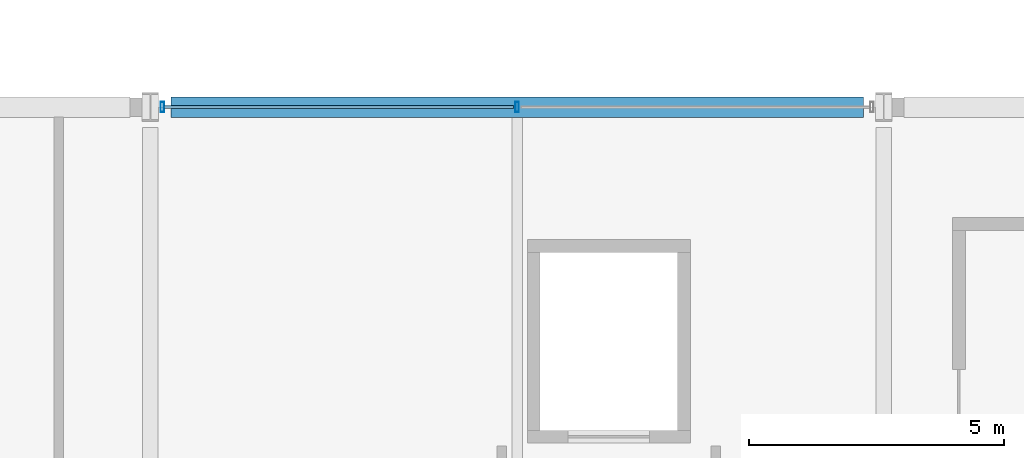
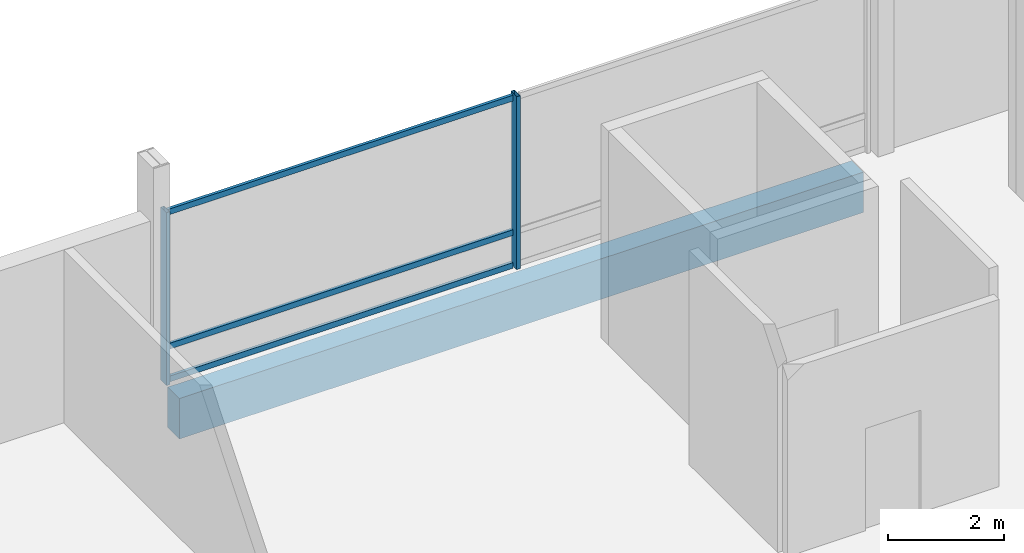
# One storey, part 127 of 220: 5 members, 1 beam, 1 element without a shape of its own.
"""IFC4 building model written with IfcOpenShell, lengths in metres."""

from ifc_helpers import new_model, si_unit, direction, frame, origin, origin_2d, place, context, subcontext, project, spatial, rectangle, hollow_rectangle, extrude, material, material_profile, profile_set, type_object, element, aggregate, save


model = new_model("IFC4")

# Units and contexts
model_context = context("Model", 3, precision=1e-05, world=origin(), true_north=direction((0.0, 1.0)))
body_context = subcontext(model_context, "Body", "Model", "MODEL_VIEW")
ifc_project = project(units=[si_unit("LENGTHUNIT", "METRE"), si_unit("AREAUNIT", "SQUARE_METRE"), si_unit("VOLUMEUNIT", "CUBIC_METRE"), si_unit("PLANEANGLEUNIT", "RADIAN"), si_unit("MASSUNIT", "GRAM", prefix="KILO")], contexts=[model_context])

# Site, building, storey
site_placement = place(None, origin())
site = spatial("IfcSite", under=ifc_project, at=site_placement, CompositionType="ELEMENT")
building_placement = place(site_placement, origin())
building = spatial("IfcBuilding", under=site, at=building_placement, Name="Cendralis Lancet Convention Centre", CompositionType="ELEMENT")
storey_placement = place(building_placement, frame((0.0, 0.0, 5.39990234375)))
storey = spatial("IfcBuildingStorey", under=building, at=storey_placement, Name="L01", CompositionType="ELEMENT", Elevation=5.39990234375)

# Curtain wall, members
ifc_material_1 = material(Name="Anodised bronze architectural aluminium", Category="aluminium")
curtain_wall_type = type_object("IfcCurtainWallType", Name="ARC-CW-BL01", PredefinedType="USERDEFINED", material=ifc_material_1)
curtain_wall_placement = place(storey_placement, origin())
curtain_wall = element("IfcCurtainWall", 1, at=curtain_wall_placement, inside=storey, type_object=curtain_wall_type, Name="L01 Curtain Wall CW-BL1 #149", ObjectType="CURTAIN WALL", PredefinedType="USERDEFINED")
ifc_material_profile_1 = material_profile(ifc_material_1, hollow_rectangle(XDim=0.070068359375, YDim=0.199951171875, WallThickness=0.0048828125, at=origin_2d()), Name="AL-MULL 70x200x5.0")
ifc_profile_set_1 = profile_set([ifc_material_profile_1], Name="Anodised bronze architectural aluminium")
member_type_1 = type_object("IfcMemberType", Name="ARC-CW-ML02", PredefinedType="MULLION", material=ifc_profile_set_1)
member_1_placement = place(storey_placement, frame((182.635009765625, 136.800048828125, 0.0), z_axis=(0.0, 0.0, 1.0), x_axis=(1.0, 0.0, 0.0)))
member_1 = element("IfcMember", 2, at=member_1_placement, type_object=member_type_1, Name="Mullion CW2-CW-BL1-L01-149-M0", PredefinedType="MULLION", context=body_context, shape_type="SweptSolid", body=[
    extrude(hollow_rectangle(XDim=0.070068359375, YDim=0.199951171875, WallThickness=0.0048828125, at=origin_2d()), origin(), (0.0, 0.0, 1.0), 3.635009765625),
])
member_2_placement = place(storey_placement, frame((189.60009765625, 136.800048828125, 0.0), z_axis=(0.0, 0.0, 1.0), x_axis=(1.0, 0.0, 0.0)))
member_2 = element("IfcMember", 3, at=member_2_placement, type_object=member_type_1, Name="Mullion CW2-CW-BL1-L01-149-M1", PredefinedType="MULLION", context=body_context, shape_type="SweptSolid", body=[
    extrude(hollow_rectangle(XDim=0.070068359375, YDim=0.199951171875, WallThickness=0.0048828125, at=origin_2d()), origin(), (0.0, 0.0, 1.0), 3.635009765625),
])
ifc_material_profile_2 = material_profile(ifc_material_1, hollow_rectangle(XDim=0.06005859375, YDim=0.1201171875, WallThickness=0.00390625, at=origin_2d()), Name="AL-TRAN 60x120x4.0")
ifc_profile_set_2 = profile_set([ifc_material_profile_2], Name="Anodised bronze architectural aluminium")
member_type_2 = type_object("IfcMemberType", Name="ARC-CW-TR01", PredefinedType="USERDEFINED", material=ifc_profile_set_2)
member_3_placement = place(storey_placement, frame((182.669921875, 136.800048828125, 0.06005859375), z_axis=(1.0, 0.0, 0.0), x_axis=(0.0, 1.0, 0.0)))
member_3 = element("IfcMember", 4, at=member_3_placement, type_object=member_type_2, Name="Transom CW2-CW-BL1-L01-149-T0BOT", ObjectType="TRANSOM", PredefinedType="USERDEFINED", context=body_context, shape_type="SweptSolid", body=[
    extrude(hollow_rectangle(XDim=0.06005859375, YDim=0.1201171875, WallThickness=0.00390625, at=origin_2d()), origin(), (0.0, 0.0, 1.0), 6.860107421875),
])
member_4_placement = place(storey_placement, frame((182.669921875, 136.800048828125, 0.75), z_axis=(1.0, 0.0, 0.0), x_axis=(0.0, 1.0, 0.0)))
member_4 = element("IfcMember", 5, at=member_4_placement, type_object=member_type_2, Name="Transom CW2-CW-BL1-L01-149-T0MID", ObjectType="TRANSOM", PredefinedType="USERDEFINED", context=body_context, shape_type="SweptSolid", body=[
    extrude(hollow_rectangle(XDim=0.06005859375, YDim=0.1201171875, WallThickness=0.00390625, at=origin_2d()), origin(), (0.0, 0.0, 1.0), 6.860107421875),
])
member_5_placement = place(storey_placement, frame((182.669921875, 136.800048828125, 3.5751953125), z_axis=(1.0, 0.0, 0.0), x_axis=(0.0, 1.0, 0.0)))
member_5 = element("IfcMember", 6, at=member_5_placement, type_object=member_type_2, Name="Transom CW2-CW-BL1-L01-149-T0TOP", ObjectType="TRANSOM", PredefinedType="USERDEFINED", context=body_context, shape_type="SweptSolid", body=[
    extrude(hollow_rectangle(XDim=0.06005859375, YDim=0.1201171875, WallThickness=0.00390625, at=origin_2d()), origin(), (0.0, 0.0, 1.0), 6.860107421875),
])
aggregate(curtain_wall, [member_1, member_2, member_3, member_4, member_5])

# Beam
ifc_material_2 = material(Name="Concrete G40 (C40/50)", Category="concrete")
ifc_material_profile_3 = material_profile(ifc_material_2, rectangle(XDim=0.39990234375, YDim=0.85009765625, at=origin_2d()), Name="RCB 400x850")
ifc_profile_set_3 = profile_set([ifc_material_profile_3], Name="Concrete G40 (C40/50)")
beam_type = type_object("IfcBeamType", Name="STR-SP-SP02", PredefinedType="SPANDREL", material=ifc_profile_set_3)
beam_placement = place(storey_placement, frame((182.800048828125, 136.800048828125, -0.704833984375), z_axis=(1.0, 0.0, 0.0), x_axis=(0.0, 1.0, 0.0)))
element("IfcBeam", 7, at=beam_placement, inside=storey, type_object=beam_type, Name="L01 Beam SP02 #1661", PredefinedType="SPANDREL", context=body_context, shape_type="SweptSolid", body=[
    extrude(rectangle(XDim=0.39990234375, YDim=0.85009765625, at=origin_2d()), origin(), (0.0, 0.0, 1.0), 13.599853515625),
])

save(model, "model.ifc")
